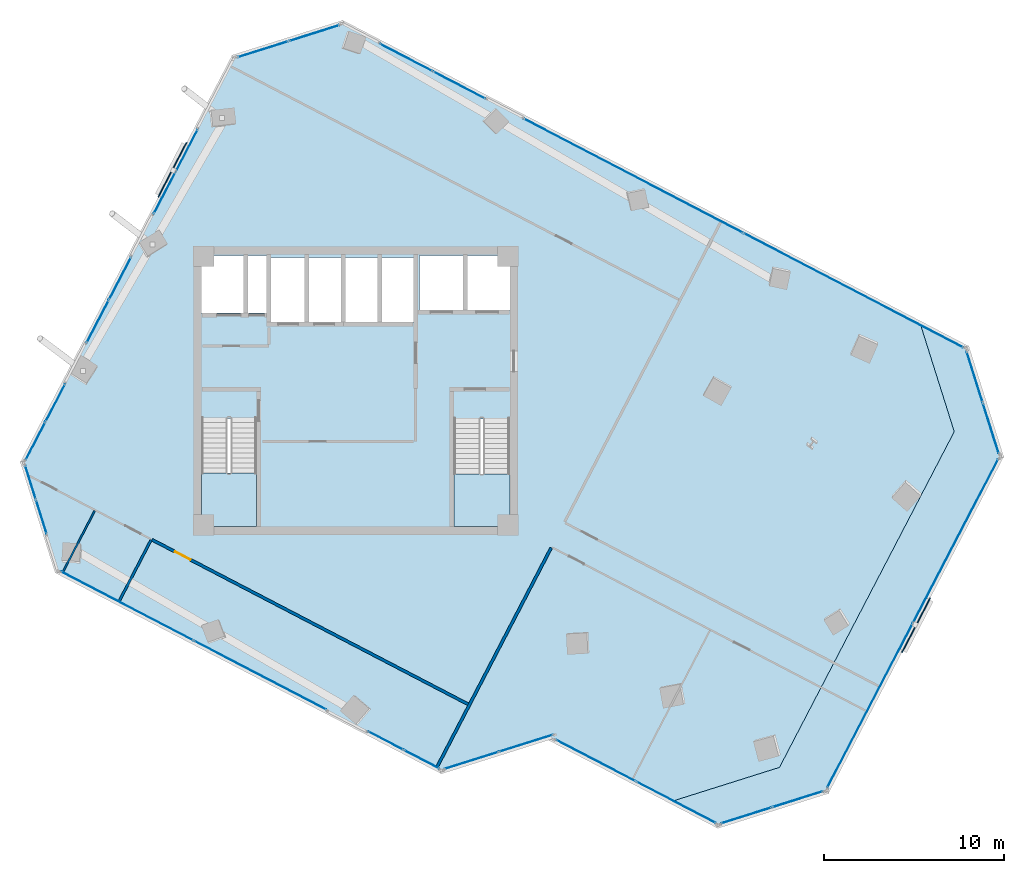
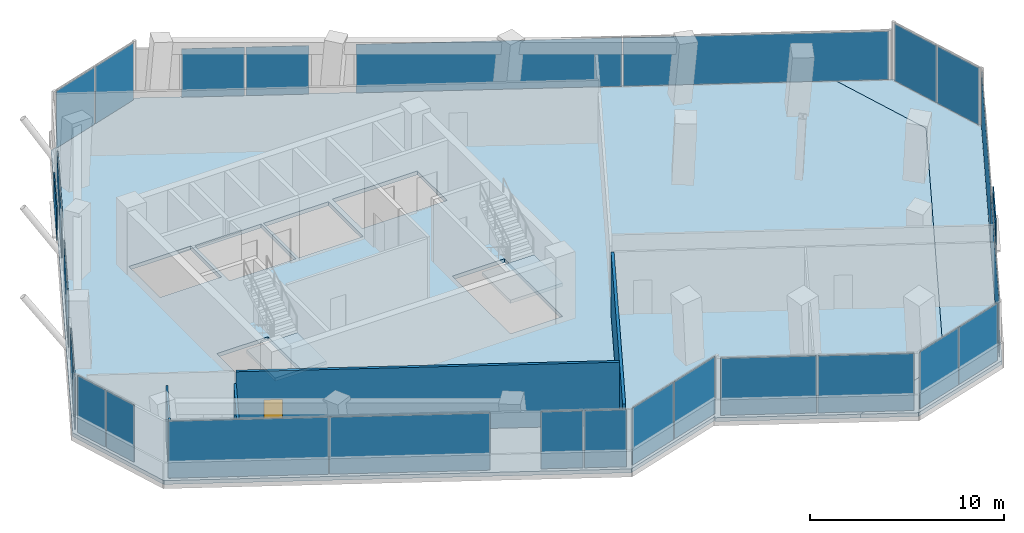
# One storey, part 16 of 22: 30 plates, 4 slabs, 4 walls, 1 door, 1 opening, 16 elements without a shape of their own.
"""IFC4 building model written with IfcOpenShell, lengths in metres."""

from ifc_helpers import new_model, si_unit, direction, frame, frame_2d, origin, origin_2d, place, context, subcontext, project, spatial, polyline, rectangle, outline, extrude, source, transform, mapped, material, layer, layer_set, type_object, element, fill, aggregate, save


model = new_model("IFC4")

# Units and contexts
model_context = context("Model", 3, precision=1e-05, world=origin(), true_north=direction((0.0, 1.0)))
body_context = subcontext(model_context, "Body", "Model", "MODEL_VIEW")
ifc_project = project(units=[si_unit("LENGTHUNIT", "METRE"), si_unit("AREAUNIT", "SQUARE_METRE"), si_unit("VOLUMEUNIT", "CUBIC_METRE"), si_unit("PLANEANGLEUNIT", "RADIAN"), si_unit("MASSUNIT", "GRAM", prefix="KILO")], contexts=[model_context])

# Site, building, storey
site_placement = place(None, origin())
site = spatial("IfcSite", under=ifc_project, at=site_placement, CompositionType="ELEMENT")
building_placement = place(site_placement, origin())
building = spatial("IfcBuilding", under=site, at=building_placement, Name="Torre Montelarca", CompositionType="ELEMENT")
storey_placement = place(building_placement, frame((0.0, 0.0, 175.0)))
storey = spatial("IfcBuildingStorey", under=building, at=storey_placement, Name="L39", CompositionType="ELEMENT", Elevation=175.0)

# Slabs
ifc_material_1 = material(Name="Concrete C40/50", Category="concrete")
ifc_layer_1 = layer(ifc_material_1, 0.239990234375, Name="Concrete C40/50", Category="concrete")
ifc_layer_set_1 = layer_set([ifc_layer_1], Name="Concrete C40/50")
slab_type_1 = type_object("IfcSlabType", Name="SL-FLR-240", PredefinedType="FLOOR", material=ifc_layer_set_1)
slab_1_placement = place(storey_placement, frame((0.0, 0.0, -0.239990234375)))
element("IfcSlab", 1, at=slab_1_placement, inside=storey, type_object=slab_type_1, Name="L39 Structural Floor Slab", PredefinedType="FLOOR", context=body_context, shape_type="SweptSolid", body=[
    extrude(outline(polyline([(22.7646484375, 10.8232421875), (28.833984375, 12.737060546875), (28.787841796875, 12.648193359375), (35.4404296875, 9.185302734375), (41.509765625, 11.098876953125), (51.20654296875, 29.72607421875), (49.29296875, 35.79541015625), (17.271728515625, 52.464599609375), (11.202392578125, 50.551025390625), (-0.52587890625, 28.02099609375), (1.3876953125, 21.951416015625), (22.7646484375, 10.8232421875)]), holes=[polyline([(26.550048828125, 24.449951171875), (23.43994140625, 24.449951171875), (23.43994140625, 30.429931640625), (26.550048828125, 30.429931640625), (26.550048828125, 24.449951171875)]), polyline([(9.449951171875, 24.449951171875), (9.449951171875, 30.4599609375), (12.5, 30.4599609375), (12.5, 24.449951171875), (9.449951171875, 24.449951171875)]), polyline([(17.25, 35.800048828125), (13.300048828125, 35.800048828125), (13.300048828125, 39.39990234375), (17.25, 39.39990234375), (17.25, 35.800048828125)]), polyline([(21.25, 39.39990234375), (21.25, 35.800048828125), (17.39990234375, 35.800048828125), (17.39990234375, 39.39990234375), (21.25, 39.39990234375)]), polyline([(13.1201171875, 36.300048828125), (9.449951171875, 36.300048828125), (9.449951171875, 39.5), (13.1201171875, 39.5), (13.1201171875, 36.300048828125)]), polyline([(26.60009765625, 36.449951171875), (21.550048828125, 36.449951171875), (21.550048828125, 39.5), (26.60009765625, 39.5), (26.60009765625, 36.449951171875)])]), origin(), (0.0, 0.0, 1.0), 0.239990234375),
])
slab_2_placement = place(storey_placement, frame((0.0, 0.0, -0.239990234375)))
element("IfcSlab", 2, at=slab_2_placement, inside=storey, type_object=slab_type_1, Name="L39 Sliding Tray Winter Garden Floor Slab E1", PredefinedType="FLOOR", context=body_context, shape_type="SweptSolid", body=[
    extrude(outline(polyline([(49.29296875, 35.79541015625), (51.20654296875, 29.72607421875), (41.509765625, 11.098876953125), (35.4404296875, 9.185302734375), (38.101318359375, 7.800048828125), (44.1708984375, 9.713623046875), (53.86767578125, 28.3408203125), (51.953857421875, 34.410400390625), (49.29296875, 35.79541015625)])), origin(), (0.0, 0.0, 1.0), 0.239990234375),
])

# Stair, slab
stair_type_1 = type_object("IfcStairType", Name="ST-CORE-ST1", PredefinedType="HALF_TURN_STAIR", material=ifc_material_1)
stair_1_placement = place(storey_placement, origin())
stair_1 = element("IfcStair", 3, at=stair_1_placement, inside=storey, type_object=stair_type_1, Name="L39 Protected Exit Stair ST1", PredefinedType="HALF_TURN_STAIR")
ifc_layer_2 = layer(ifc_material_1, 0.199951171875, Name="Concrete C40/50", Category="concrete")
ifc_layer_set_2 = layer_set([ifc_layer_2], Name="Concrete C40/50")
slab_type_2 = type_object("IfcSlabType", Name="SL-ST-LAND-ST1", PredefinedType="LANDING", material=ifc_layer_set_2)
slab_3_placement = place(storey_placement, frame((0.0, 0.0, 1.89990234375)))
slab_3 = element("IfcSlab", 4, at=slab_3_placement, type_object=slab_type_2, Name="ST1 landing 1", PredefinedType="LANDING", context=body_context, shape_type="SweptSolid", body=[
    extrude(outline(polyline([(9.449951171875, 27.419921875), (9.449951171875, 24.449951171875), (12.5, 24.449951171875), (12.5, 27.419921875), (9.449951171875, 27.419921875)])), origin(), (0.0, 0.0, 1.0), 0.2001953125),
])
aggregate(stair_1, [slab_3])

stair_type_2 = type_object("IfcStairType", Name="ST-CORE-ST2", PredefinedType="HALF_TURN_STAIR", material=ifc_material_1)
stair_2_placement = place(storey_placement, origin())
stair_2 = element("IfcStair", 5, at=stair_2_placement, inside=storey, type_object=stair_type_2, Name="L39 Protected Exit Stair ST2", PredefinedType="HALF_TURN_STAIR")
ifc_layer_3 = layer(ifc_material_1, 0.199951171875, Name="Concrete C40/50", Category="concrete")
ifc_layer_set_3 = layer_set([ifc_layer_3], Name="Concrete C40/50")
slab_type_3 = type_object("IfcSlabType", Name="SL-ST-LAND-ST2", PredefinedType="LANDING", material=ifc_layer_set_3)
slab_4_placement = place(storey_placement, frame((0.0, 0.0, 1.89990234375)))
slab_4 = element("IfcSlab", 6, at=slab_4_placement, type_object=slab_type_3, Name="ST2 landing 1", PredefinedType="LANDING", context=body_context, shape_type="SweptSolid", body=[
    extrude(outline(polyline([(23.43994140625, 27.389892578125), (23.43994140625, 24.449951171875), (26.550048828125, 24.449951171875), (26.550048828125, 27.389892578125), (23.43994140625, 27.389892578125)])), origin(), (0.0, 0.0, 1.0), 0.2001953125),
])
aggregate(stair_2, [slab_4])

# Plates
ifc_material_2 = material(Name="Architectural perforated terracotta ceramic", Category="masonry")
ifc_layer_4 = layer(ifc_material_2, 0.074951171875, Name="Architectural perforated terracotta ceramic", Category="masonry")
ifc_layer_set_4 = layer_set([ifc_layer_4], Name="Architectural perforated terracotta ceramic")
plate_type_1 = type_object("IfcPlateType", Name="SCR-CER-75", PredefinedType="USERDEFINED", material=ifc_layer_set_4)
shared_shape_1 = source(origin(), body_context, "Body", "SweptSolid", [
    extrude(rectangle(XDim=3.39990234375, YDim=0.06005859375, at=origin_2d()), origin(), (0.0, 0.0, 1.0), 1.89990234375),
])
for number, where, z_axis, x_axis, name in (
    (7, (49.090087890625, 18.990234375, 0.5), (0.0, 0.0, 1.0), (0.461747065108, 0.88701163908, 0.0), "L39 Perforated Ceramic Brise-Soleil Screen E6-1"),
    (8, (7.830078125, 44.24609375, 0.5), (0.0, 0.0, 1.0), (-0.461747065108, -0.88701163908, 0.0), "L39 Perforated Ceramic Brise-Soleil Screen E10-1"),
):
    element("IfcPlate", number, at=place(storey_placement, frame(where, z_axis=z_axis, x_axis=x_axis)), inside=storey, type_object=plate_type_1, Name=name, ObjectType="SOLAR SCREEN", PredefinedType="USERDEFINED", context=body_context, shape_type="MappedRepresentation", body=[
        mapped(shared_shape_1, transform((0.0, 0.0, 0.0), scale=1.0)),
    ])

# Curtain wall, plates
ifc_material_3 = material(Name="Insulated low-E laminated glass", Category="glass")
curtain_wall_type = type_object("IfcCurtainWallType", Name="CW-SYS-Z2", PredefinedType="USERDEFINED", material=ifc_material_3)
curtain_wall_1_placement = place(storey_placement, origin())
curtain_wall_1 = element("IfcCurtainWall", 9, at=curtain_wall_1_placement, inside=storey, type_object=curtain_wall_type, Name="L39 Curtain Wall Run CW-T3-L39-E05-B1", ObjectType="UNITISED GLAZING", PredefinedType="USERDEFINED")
ifc_layer_5 = layer(ifc_material_3, 0.031982421875, Name="Insulated low-E laminated glass", Category="glass")
ifc_layer_set_5 = layer_set([ifc_layer_5], Name="Insulated low-E laminated glass")
plate_type_2 = type_object("IfcPlateType", Name="CWP-GLZ-32", PredefinedType="CURTAIN_PANEL", material=ifc_layer_set_5)
shared_shape_2 = source(origin(), body_context, "Body", "SweptSolid", [
    extrude(rectangle(XDim=2.918701171875, YDim=0.031982421875, at=origin_2d()), origin(), (0.0, 0.0, 1.0), 3.590087890625),
])
plate_1_placement = place(storey_placement, frame((39.67431640625, 8.43212890625, 0.06494140625), z_axis=(0.0, 0.0, 1.0), x_axis=(0.953725364895, 0.300679111938, 0.0)))
plate_1 = element("IfcPlate", 10, at=plate_1_placement, type_object=plate_type_2, Name="CW panel 1.1", PredefinedType="CURTAIN_PANEL", context=body_context, shape_type="MappedRepresentation", body=[
    mapped(shared_shape_2, transform((0.0, 0.0, 0.0), scale=1.0)),
])
plate_2_placement = place(storey_placement, frame((42.52001953125, 9.329345703125, 0.06494140625), z_axis=(0.0, 0.0, 1.0), x_axis=(0.953725364895, 0.300679111938, 0.0)))
plate_2 = element("IfcPlate", 11, at=plate_2_placement, type_object=plate_type_2, Name="CW panel 2.1", PredefinedType="CURTAIN_PANEL", context=body_context, shape_type="MappedRepresentation", body=[
    mapped(shared_shape_2, transform((0.0, 0.0, 0.0), scale=1.0)),
])
aggregate(curtain_wall_1, [plate_1, plate_2])

curtain_wall_2_placement = place(storey_placement, origin())
curtain_wall_2 = element("IfcCurtainWall", 12, at=curtain_wall_2_placement, inside=storey, type_object=curtain_wall_type, Name="L39 Curtain Wall Run CW-T3-L39-E07-B1", ObjectType="UNITISED GLAZING", PredefinedType="USERDEFINED")
plate_3_placement = place(storey_placement, frame((53.2353515625, 29.913818359375, 0.06494140625), z_axis=(0.0, 0.0, 1.0), x_axis=(-0.30069894448, 0.953719112102, 0.0)))
plate_3 = element("IfcPlate", 13, at=plate_3_placement, type_object=plate_type_2, Name="CW panel 1.1", PredefinedType="CURTAIN_PANEL", context=body_context, shape_type="MappedRepresentation", body=[
    mapped(shared_shape_2, transform((0.0, 0.0, 0.0), scale=1.0)),
])
plate_4_placement = place(storey_placement, frame((52.338134765625, 32.75927734375, 0.06494140625), z_axis=(0.0, 0.0, 1.0), x_axis=(-0.30069894448, 0.953719112102, 0.0)))
plate_4 = element("IfcPlate", 14, at=plate_4_placement, type_object=plate_type_2, Name="CW panel 2.1", PredefinedType="CURTAIN_PANEL", context=body_context, shape_type="MappedRepresentation", body=[
    mapped(shared_shape_2, transform((0.0, 0.0, 0.0), scale=1.0)),
])
aggregate(curtain_wall_2, [plate_3, plate_4])

curtain_wall_3_placement = place(storey_placement, origin())
curtain_wall_3 = element("IfcCurtainWall", 15, at=curtain_wall_3_placement, inside=storey, type_object=curtain_wall_type, Name="L39 Curtain Wall Run CW-T3-L39-E09-B1", ObjectType="UNITISED GLAZING", PredefinedType="USERDEFINED")
plate_5_placement = place(storey_placement, frame((15.698974609375, 51.83251953125, 0.06494140625), z_axis=(0.0, 0.0, 1.0), x_axis=(-0.953719112102, -0.30069894448, 0.0)))
plate_5 = element("IfcPlate", 16, at=plate_5_placement, type_object=plate_type_2, Name="CW panel 1.1", PredefinedType="CURTAIN_PANEL", context=body_context, shape_type="MappedRepresentation", body=[
    mapped(shared_shape_2, transform((0.0, 0.0, 0.0), scale=1.0)),
])
plate_6_placement = place(storey_placement, frame((12.853271484375, 50.935302734375, 0.06494140625), z_axis=(0.0, 0.0, 1.0), x_axis=(-0.953719112102, -0.30069894448, 0.0)))
plate_6 = element("IfcPlate", 17, at=plate_6_placement, type_object=plate_type_2, Name="CW panel 2.1", PredefinedType="CURTAIN_PANEL", context=body_context, shape_type="MappedRepresentation", body=[
    mapped(shared_shape_2, transform((0.0, 0.0, 0.0), scale=1.0)),
])
aggregate(curtain_wall_3, [plate_5, plate_6])

curtain_wall_4_placement = place(storey_placement, origin())
curtain_wall_4 = element("IfcCurtainWall", 18, at=curtain_wall_4_placement, inside=storey, type_object=curtain_wall_type, Name="L39 Curtain Wall Run CW-T3-L39-E02-B1", ObjectType="UNITISED GLAZING", PredefinedType="USERDEFINED")
shared_shape_3 = source(origin(), body_context, "Body", "SweptSolid", [
    extrude(rectangle(XDim=3.1025390625, YDim=0.031982421875, at=origin_2d()), origin(), (0.0, 0.0, 1.0), 3.590087890625),
])
plate_7_placement = place(storey_placement, frame((24.425048828125, 11.483154296875, 0.06494140625), z_axis=(0.0, 0.0, 1.0), x_axis=(0.953717880455, 0.300702850836, 0.0)))
plate_7 = element("IfcPlate", 19, at=plate_7_placement, type_object=plate_type_2, Name="CW panel 1.1", PredefinedType="CURTAIN_PANEL", context=body_context, shape_type="MappedRepresentation", body=[
    mapped(shared_shape_3, transform((0.0, 0.0, 0.0), scale=1.0)),
])
plate_8_placement = place(storey_placement, frame((27.446044921875, 12.435791015625, 0.06494140625), z_axis=(0.0, 0.0, 1.0), x_axis=(0.953717880455, 0.300702850836, 0.0)))
plate_8 = element("IfcPlate", 20, at=plate_8_placement, type_object=plate_type_2, Name="CW panel 2.1", PredefinedType="CURTAIN_PANEL", context=body_context, shape_type="MappedRepresentation", body=[
    mapped(shared_shape_3, transform((0.0, 0.0, 0.0), scale=1.0)),
])
aggregate(curtain_wall_4, [plate_7, plate_8])

curtain_wall_5_placement = place(storey_placement, origin())
curtain_wall_5 = element("IfcCurtainWall", 21, at=curtain_wall_5_placement, inside=storey, type_object=curtain_wall_type, Name="L39 Curtain Wall Run CW-T3-L39-E04-B1", ObjectType="UNITISED GLAZING", PredefinedType="USERDEFINED")
shared_shape_4 = source(origin(), body_context, "Body", "SweptSolid", [
    extrude(rectangle(XDim=4.948486328125, YDim=0.031982421875, at=origin_2d()), origin(), (0.0, 0.0, 1.0), 3.590087890625),
])
plate_9_placement = place(storey_placement, frame((31.31494140625, 11.4794921875, 0.06494140625), z_axis=(0.0, 0.0, 1.0), x_axis=(0.887013437803, -0.461743609762, 0.0)))
plate_9 = element("IfcPlate", 22, at=plate_9_placement, type_object=plate_type_2, Name="CW panel 1.1", PredefinedType="CURTAIN_PANEL", context=body_context, shape_type="MappedRepresentation", body=[
    mapped(shared_shape_4, transform((0.0, 0.0, 0.0), scale=1.0)),
])
plate_10_placement = place(storey_placement, frame((35.761962890625, 9.164306640625, 0.06494140625), z_axis=(0.0, 0.0, 1.0), x_axis=(0.887013437803, -0.461743609762, 0.0)))
plate_10 = element("IfcPlate", 23, at=plate_10_placement, type_object=plate_type_2, Name="CW panel 2.1", PredefinedType="CURTAIN_PANEL", context=body_context, shape_type="MappedRepresentation", body=[
    mapped(shared_shape_4, transform((0.0, 0.0, 0.0), scale=1.0)),
])
aggregate(curtain_wall_5, [plate_9, plate_10])

curtain_wall_6_placement = place(storey_placement, origin())
curtain_wall_6 = element("IfcCurtainWall", 24, at=curtain_wall_6_placement, inside=storey, type_object=curtain_wall_type, Name="L39 Curtain Wall Run CW-T3-L39-E10-B1", ObjectType="UNITISED GLAZING", PredefinedType="USERDEFINED")
shared_shape_5 = source(origin(), body_context, "Body", "SweptSolid", [
    extrude(rectangle(XDim=2.587890625, YDim=0.031982421875, at=origin_2d()), origin(), (0.0, 0.0, 1.0), 3.044921875),
])
plate_11_placement = place(storey_placement, frame((8.62890625, 45.32568359375, 0.06494140625), z_axis=(0.0, 0.0, 1.0), x_axis=(-0.461744310337, -0.887013073112, 0.0)))
plate_11 = element("IfcPlate", 25, at=plate_11_placement, type_object=plate_type_2, Name="CW panel 1.1", PredefinedType="CURTAIN_PANEL", context=body_context, shape_type="MappedRepresentation", body=[
    mapped(shared_shape_5, transform((0.0, 0.0, 0.0), scale=1.0)),
])
plate_12_placement = place(storey_placement, frame((7.40380859375, 42.97265625, 0.06494140625), z_axis=(0.0, 0.0, 1.0), x_axis=(-0.461744310337, -0.887013073112, 0.0)))
plate_12 = element("IfcPlate", 26, at=plate_12_placement, type_object=plate_type_2, Name="CW panel 2.1", PredefinedType="CURTAIN_PANEL", context=body_context, shape_type="MappedRepresentation", body=[
    mapped(shared_shape_5, transform((0.0, 0.0, 0.0), scale=1.0)),
])
aggregate(curtain_wall_6, [plate_11, plate_12])

curtain_wall_7_placement = place(storey_placement, origin())
curtain_wall_7 = element("IfcCurtainWall", 27, at=curtain_wall_7_placement, inside=storey, type_object=curtain_wall_type, Name="L39 Curtain Wall Run CW-T3-L39-E06-B1", ObjectType="UNITISED GLAZING", PredefinedType="USERDEFINED")
shared_shape_6 = source(origin(), body_context, "Body", "SweptSolid", [
    extrude(rectangle(XDim=10.23681640625, YDim=0.031982421875, at=origin_2d()), origin(), (0.0, 0.0, 1.0), 3.590087890625),
])
plate_13_placement = place(storey_placement, frame((46.525634765625, 14.518310546875, 0.06494140625), z_axis=(0.0, 0.0, 1.0), x_axis=(0.461742528145, 0.887014000849, 0.0)))
plate_13 = element("IfcPlate", 28, at=plate_13_placement, type_object=plate_type_2, Name="CW panel 1.1", PredefinedType="CURTAIN_PANEL", context=body_context, shape_type="MappedRepresentation", body=[
    mapped(shared_shape_6, transform((0.0, 0.0, 0.0), scale=1.0)),
])
plate_14_placement = place(storey_placement, frame((51.2822265625, 23.65625, 0.06494140625), z_axis=(0.0, 0.0, 1.0), x_axis=(0.461742528145, 0.887014000849, 0.0)))
plate_14 = element("IfcPlate", 29, at=plate_14_placement, type_object=plate_type_2, Name="CW panel 2.1", PredefinedType="CURTAIN_PANEL", context=body_context, shape_type="MappedRepresentation", body=[
    mapped(shared_shape_6, transform((0.0, 0.0, 0.0), scale=1.0)),
])
aggregate(curtain_wall_7, [plate_13, plate_14])

curtain_wall_8_placement = place(storey_placement, origin())
curtain_wall_8 = element("IfcCurtainWall", 30, at=curtain_wall_8_placement, inside=storey, type_object=curtain_wall_type, Name="L39 Curtain Wall Run CW-T3-L39-E01-B1", ObjectType="UNITISED GLAZING", PredefinedType="USERDEFINED")
shared_shape_7 = source(origin(), body_context, "Body", "SweptSolid", [
    extrude(rectangle(XDim=8.264404296875, YDim=0.031982421875, at=origin_2d()), origin(), (0.0, 0.0, 1.0), 3.590087890625),
])
plate_15_placement = place(storey_placement, frame((5.317626953125, 20.05224609375, 0.06494140625), z_axis=(0.0, 0.0, 1.0), x_axis=(0.887011903045, -0.461746558035, 0.0)))
plate_15 = element("IfcPlate", 31, at=plate_15_placement, type_object=plate_type_2, Name="CW panel 1.1", PredefinedType="CURTAIN_PANEL", context=body_context, shape_type="MappedRepresentation", body=[
    mapped(shared_shape_7, transform((0.0, 0.0, 0.0), scale=1.0)),
])
plate_16_placement = place(storey_placement, frame((12.705810546875, 16.2060546875, 0.06494140625), z_axis=(0.0, 0.0, 1.0), x_axis=(0.887011903045, -0.461746558035, 0.0)))
plate_16 = element("IfcPlate", 32, at=plate_16_placement, type_object=plate_type_2, Name="CW panel 2.1", PredefinedType="CURTAIN_PANEL", context=body_context, shape_type="MappedRepresentation", body=[
    mapped(shared_shape_7, transform((0.0, 0.0, 0.0), scale=1.0)),
])
aggregate(curtain_wall_8, [plate_15, plate_16])

curtain_wall_9_placement = place(storey_placement, origin())
curtain_wall_9 = element("IfcCurtainWall", 33, at=curtain_wall_9_placement, inside=storey, type_object=curtain_wall_type, Name="L39 Curtain Wall Run CW-T3-L39-E01-B2", ObjectType="UNITISED GLAZING", PredefinedType="USERDEFINED")
shared_shape_8 = source(origin(), body_context, "Body", "SweptSolid", [
    extrude(rectangle(XDim=2.180419921875, YDim=0.031982421875, at=origin_2d()), origin(), (0.0, 0.0, 1.0), 3.590087890625),
])
plate_17_placement = place(storey_placement, frame((19.661376953125, 12.58544921875, 0.06494140625), z_axis=(0.0, 0.0, 1.0), x_axis=(0.887011862685, -0.461746635565, 0.0)))
plate_17 = element("IfcPlate", 34, at=plate_17_placement, type_object=plate_type_2, Name="CW panel 1.1", PredefinedType="CURTAIN_PANEL", context=body_context, shape_type="MappedRepresentation", body=[
    mapped(shared_shape_8, transform((0.0, 0.0, 0.0), scale=1.0)),
])
plate_18_placement = place(storey_placement, frame((21.65283203125, 11.548583984375, 0.06494140625), z_axis=(0.0, 0.0, 1.0), x_axis=(0.887011862685, -0.461746635565, 0.0)))
plate_18 = element("IfcPlate", 35, at=plate_18_placement, type_object=plate_type_2, Name="CW panel 2.1", PredefinedType="CURTAIN_PANEL", context=body_context, shape_type="MappedRepresentation", body=[
    mapped(shared_shape_8, transform((0.0, 0.0, 0.0), scale=1.0)),
])
aggregate(curtain_wall_9, [plate_17, plate_18])

curtain_wall_10_placement = place(storey_placement, origin())
curtain_wall_10 = element("IfcCurtainWall", 36, at=curtain_wall_10_placement, inside=storey, type_object=curtain_wall_type, Name="L39 Curtain Wall Run CW-T3-L39-E08-B1", ObjectType="UNITISED GLAZING", PredefinedType="USERDEFINED")
shared_shape_9 = source(origin(), body_context, "Body", "SweptSolid", [
    extrude(rectangle(XDim=13.697509765625, YDim=0.031982421875, at=origin_2d()), origin(), (0.0, 0.0, 1.0), 3.044921875),
])
plate_19_placement = place(storey_placement, frame((45.6142578125, 37.56396484375, 0.06494140625), z_axis=(0.0, 0.0, 1.0), x_axis=(-0.887011266673, 0.461747780498, 0.0)))
plate_19 = element("IfcPlate", 37, at=plate_19_placement, type_object=plate_type_2, Name="CW panel 1.1", PredefinedType="CURTAIN_PANEL", context=body_context, shape_type="MappedRepresentation", body=[
    mapped(shared_shape_9, transform((0.0, 0.0, 0.0), scale=1.0)),
])
plate_20_placement = place(storey_placement, frame((33.40673828125, 43.918701171875, 0.06494140625), z_axis=(0.0, 0.0, 1.0), x_axis=(-0.887011266673, 0.461747780498, 0.0)))
plate_20 = element("IfcPlate", 38, at=plate_20_placement, type_object=plate_type_2, Name="CW panel 2.1", PredefinedType="CURTAIN_PANEL", context=body_context, shape_type="MappedRepresentation", body=[
    mapped(shared_shape_9, transform((0.0, 0.0, 0.0), scale=1.0)),
])
aggregate(curtain_wall_10, [plate_19, plate_20])

curtain_wall_11_placement = place(storey_placement, origin())
curtain_wall_11 = element("IfcCurtainWall", 39, at=curtain_wall_11_placement, inside=storey, type_object=curtain_wall_type, Name="L39 Curtain Wall Run CW-T3-L39-E08-B2", ObjectType="UNITISED GLAZING", PredefinedType="USERDEFINED")
shared_shape_10 = source(origin(), body_context, "Body", "SweptSolid", [
    extrude(rectangle(XDim=3.251708984375, YDim=0.031982421875, at=origin_2d()), origin(), (0.0, 0.0, 1.0), 3.044921875),
])
plate_21_placement = place(storey_placement, frame((23.740478515625, 48.95068359375, 0.06494140625), z_axis=(0.0, 0.0, 1.0), x_axis=(-0.887014088724, 0.461742359337, 0.0)))
plate_21 = element("IfcPlate", 40, at=plate_21_placement, type_object=plate_type_2, Name="CW panel 1.1", PredefinedType="CURTAIN_PANEL", context=body_context, shape_type="MappedRepresentation", body=[
    mapped(shared_shape_10, transform((0.0, 0.0, 0.0), scale=1.0)),
])
plate_22_placement = place(storey_placement, frame((20.798583984375, 50.482177734375, 0.06494140625), z_axis=(0.0, 0.0, 1.0), x_axis=(-0.887014088724, 0.461742359337, 0.0)))
plate_22 = element("IfcPlate", 41, at=plate_22_placement, type_object=plate_type_2, Name="CW panel 2.1", PredefinedType="CURTAIN_PANEL", context=body_context, shape_type="MappedRepresentation", body=[
    mapped(shared_shape_10, transform((0.0, 0.0, 0.0), scale=1.0)),
])
aggregate(curtain_wall_11, [plate_21, plate_22])

curtain_wall_12_placement = place(storey_placement, origin())
curtain_wall_12 = element("IfcCurtainWall", 42, at=curtain_wall_12_placement, inside=storey, type_object=curtain_wall_type, Name="L39 Curtain Wall Run CW-T3-L39-E10-B2", ObjectType="UNITISED GLAZING", PredefinedType="USERDEFINED")
shared_shape_11 = source(origin(), body_context, "Body", "SweptSolid", [
    extrude(rectangle(XDim=2.62255859375, YDim=0.031982421875, at=origin_2d()), origin(), (0.0, 0.0, 1.0), 3.044921875),
])
plate_23_placement = place(storey_placement, frame((4.927734375, 38.2158203125, 0.06494140625), z_axis=(0.0, 0.0, 1.0), x_axis=(-0.461742214013, -0.887014164373, 0.0)))
plate_23 = element("IfcPlate", 43, at=plate_23_placement, type_object=plate_type_2, Name="CW panel 1.1", PredefinedType="CURTAIN_PANEL", context=body_context, shape_type="MappedRepresentation", body=[
    mapped(shared_shape_11, transform((0.0, 0.0, 0.0), scale=1.0)),
])
plate_24_placement = place(storey_placement, frame((3.686767578125, 35.83203125, 0.06494140625), z_axis=(0.0, 0.0, 1.0), x_axis=(-0.461742214013, -0.887014164373, 0.0)))
plate_24 = element("IfcPlate", 44, at=plate_24_placement, type_object=plate_type_2, Name="CW panel 2.1", PredefinedType="CURTAIN_PANEL", context=body_context, shape_type="MappedRepresentation", body=[
    mapped(shared_shape_11, transform((0.0, 0.0, 0.0), scale=1.0)),
])
aggregate(curtain_wall_12, [plate_23, plate_24])

curtain_wall_13_placement = place(storey_placement, origin())
curtain_wall_13 = element("IfcCurtainWall", 45, at=curtain_wall_13_placement, inside=storey, type_object=curtain_wall_type, Name="L39 Curtain Wall Run CW-T3-L39-E10-B3", ObjectType="UNITISED GLAZING", PredefinedType="USERDEFINED")
shared_shape_12 = source(origin(), body_context, "Body", "SweptSolid", [
    extrude(rectangle(XDim=2.326904296875, YDim=0.031982421875, at=origin_2d()), origin(), (0.0, 0.0, 1.0), 3.044921875),
])
plate_25_placement = place(storey_placement, frame((1.33740234375, 31.319091796875, 0.06494140625), z_axis=(0.0, 0.0, 1.0), x_axis=(-0.461739725483, -0.887015459793, 0.0)))
plate_25 = element("IfcPlate", 46, at=plate_25_placement, type_object=plate_type_2, Name="CW panel 1.1", PredefinedType="CURTAIN_PANEL", context=body_context, shape_type="MappedRepresentation", body=[
    mapped(shared_shape_12, transform((0.0, 0.0, 0.0), scale=1.0)),
])
plate_26_placement = place(storey_placement, frame((0.233154296875, 29.197509765625, 0.06494140625), z_axis=(0.0, 0.0, 1.0), x_axis=(-0.461739725483, -0.887015459793, 0.0)))
plate_26 = element("IfcPlate", 47, at=plate_26_placement, type_object=plate_type_2, Name="CW panel 2.1", PredefinedType="CURTAIN_PANEL", context=body_context, shape_type="MappedRepresentation", body=[
    mapped(shared_shape_12, transform((0.0, 0.0, 0.0), scale=1.0)),
])
aggregate(curtain_wall_13, [plate_25, plate_26])

curtain_wall_14_placement = place(storey_placement, origin())
curtain_wall_14 = element("IfcCurtainWall", 48, at=curtain_wall_14_placement, inside=storey, type_object=curtain_wall_type, Name="L39 Curtain Wall Run CW-T3-L39-E11-B1", ObjectType="UNITISED GLAZING", PredefinedType="USERDEFINED")
shared_shape_13 = source(origin(), body_context, "Body", "SweptSolid", [
    extrude(rectangle(XDim=1.94580078125, YDim=0.031982421875, at=origin_2d()), origin(), (0.0, 0.0, 1.0), 3.590087890625),
])
plate_27_placement = place(storey_placement, frame((-0.0400390625, 26.911865234375, 0.06494140625), z_axis=(0.0, 0.0, 1.0), x_axis=(0.300681637415, -0.953724568689, 0.0)))
plate_27 = element("IfcPlate", 49, at=plate_27_placement, type_object=plate_type_2, Name="CW panel 1.1", PredefinedType="CURTAIN_PANEL", context=body_context, shape_type="MappedRepresentation", body=[
    mapped(shared_shape_13, transform((0.0, 0.0, 0.0), scale=1.0)),
])
plate_28_placement = place(storey_placement, frame((0.564697265625, 24.994140625, 0.06494140625), z_axis=(0.0, 0.0, 1.0), x_axis=(0.300681637415, -0.953724568689, 0.0)))
plate_28 = element("IfcPlate", 50, at=plate_28_placement, type_object=plate_type_2, Name="CW panel 2.1", PredefinedType="CURTAIN_PANEL", context=body_context, shape_type="MappedRepresentation", body=[
    mapped(shared_shape_13, transform((0.0, 0.0, 0.0), scale=1.0)),
])
aggregate(curtain_wall_14, [plate_27, plate_28])

# Wall, opening, door
ifc_material_4 = material(Name="Gypsum plasterboard on steel stud", Category="steel")
ifc_layer_6 = layer(ifc_material_4, 0.159912109375, Name="Gypsum plasterboard on steel stud", Category="steel")
ifc_layer_set_6 = layer_set([ifc_layer_6], Name="Gypsum plasterboard on steel stud")
wall_type_1 = type_object("IfcWallType", Name="PW-FIRE-160", PredefinedType="PARTITIONING", material=ifc_layer_set_6)
wall_1_placement = place(storey_placement, frame((6.698974609375, 23.72998046875, 0.0), z_axis=(0.0, 0.0, 1.0), x_axis=(0.887009683963, -0.46175082085, 0.0)))
wall_1 = element("IfcWall", 51, at=wall_1_placement, inside=storey, type_object=wall_type_1, Name="L39 Interior Partition W-L39-SOCCN", PredefinedType="PARTITIONING", context=body_context, shape_type="SweptSolid", body=[
    extrude(rectangle(XDim=19.809814453125, YDim=0.159912109375, at=frame_2d((9.90478515625, 0.0))), origin(), (0.0, 0.0, 1.0), 3.9599609375),
])
opening_placement = place(wall_1_placement, frame((1.449951171875, 0.0, 0.0)))
opening = element("IfcOpeningElement", 52, at=opening_placement, cuts=wall_1, Name="Opening FD-095", PredefinedType="OPENING", context=body_context, shape_type="SweptSolid", body=[
    extrude(rectangle(XDim=0.949951171875, YDim=2.14990234375, at=frame_2d((0.47509765625, 1.074951171875))), frame((0.0, 0.08984375, 0.0), z_axis=(0.0, -1.0, 0.0), x_axis=(1.0, 0.0, 0.0)), (0.0, 0.0, 1.0), 0.179931640625),
])
ifc_material_5 = material(Name="Timber fire-rated room door", Category="wood")
door_type = type_object("IfcDoorType", Name="DR-FIRE-095", OperationType="NOTDEFINED", PredefinedType="DOOR", material=ifc_material_5)
shared_shape_14 = source(origin(), body_context, "Body", "SweptSolid", [
    extrude(rectangle(XDim=0.949951171875, YDim=2.14990234375, at=frame_2d((0.47509765625, 1.074951171875))), frame((0.0, 0.02490234375, 0.0), z_axis=(0.0, -1.0, 0.0), x_axis=(1.0, 0.0, 0.0)), (0.0, 0.0, 1.0), 0.050048828125),
])
door_placement = place(opening_placement, origin())
door = element("IfcDoor", 53, at=door_placement, inside=storey, type_object=door_type, Name="L39 Interior Door 05", OperationType="SINGLE_SWING_RIGHT", OverallHeight=2.14990234375, OverallWidth=0.949951171875, PredefinedType="DOOR", context=body_context, shape_type="MappedRepresentation", body=[
    mapped(shared_shape_14, transform((0.0, 0.0, 0.0), scale=1.0)),
])
fill(opening, door)

# Walls
wall_2_placement = place(storey_placement, frame((22.5283203125, 11.1494140625, 0.0), z_axis=(0.0, 0.0, 1.0), x_axis=(0.461766825398, 0.887001352289, 0.0)))
element("IfcWall", 54, at=wall_2_placement, inside=storey, type_object=wall_type_1, Name="L39 Interior Partition W-L39-ECS", PredefinedType="PARTITIONING", context=body_context, shape_type="SweptSolid", body=[
    extrude(rectangle(XDim=13.679931640625, YDim=0.159912109375, at=frame_2d((6.83984375, 0.0))), origin(), (0.0, 0.0, 1.0), 3.9599609375),
])
ifc_material_6 = material(Name="Acoustic laminated glass partition", Category="glass")
ifc_layer_7 = layer(ifc_material_6, 0.10009765625, Name="Acoustic laminated glass partition", Category="glass")
ifc_layer_set_7 = layer_set([ifc_layer_7], Name="Acoustic laminated glass partition")
wall_type_2 = type_object("IfcWallType", Name="PW-GLAZ-100", PredefinedType="PARTITIONING", material=ifc_layer_set_7)
wall_3_placement = place(storey_placement, frame((1.763427734375, 21.958740234375, 0.0), z_axis=(0.0, 0.0, 1.0), x_axis=(0.461738042158, 0.887016336053, 0.0)))
element("IfcWall", 55, at=wall_3_placement, inside=storey, type_object=wall_type_2, Name="L39 Interior Partition W-L39-WCD", PredefinedType="PARTITIONING", context=body_context, shape_type="SweptSolid", body=[
    extrude(rectangle(XDim=3.81005859375, YDim=0.10009765625, at=frame_2d((1.905029296875, 0.0))), origin(), (0.0, 0.0, 1.0), 3.195068359375),
])
ifc_layer_8 = layer(ifc_material_4, 0.135009765625, Name="Gypsum plasterboard on steel stud", Category="steel")
ifc_layer_set_8 = layer_set([ifc_layer_8], Name="Gypsum plasterboard on steel stud")
wall_type_3 = type_object("IfcWallType", Name="PW-PART-135", PredefinedType="PARTITIONING", material=ifc_layer_set_8)
wall_4_placement = place(storey_placement, frame((4.8857421875, 20.33349609375, 0.0), z_axis=(0.0, 0.0, 1.0), x_axis=(0.461764287366, 0.887002673566, 0.0)))
element("IfcWall", 56, at=wall_4_placement, inside=storey, type_object=wall_type_3, Name="L39 Interior Partition W-L39-SWCDIV", PredefinedType="PARTITIONING", context=body_context, shape_type="SweptSolid", body=[
    extrude(rectangle(XDim=3.809814453125, YDim=0.135009765625, at=frame_2d((1.90478515625, 0.0))), origin(), (0.0, 0.0, 1.0), 3.195068359375),
])

save(model, "model.ifc")
